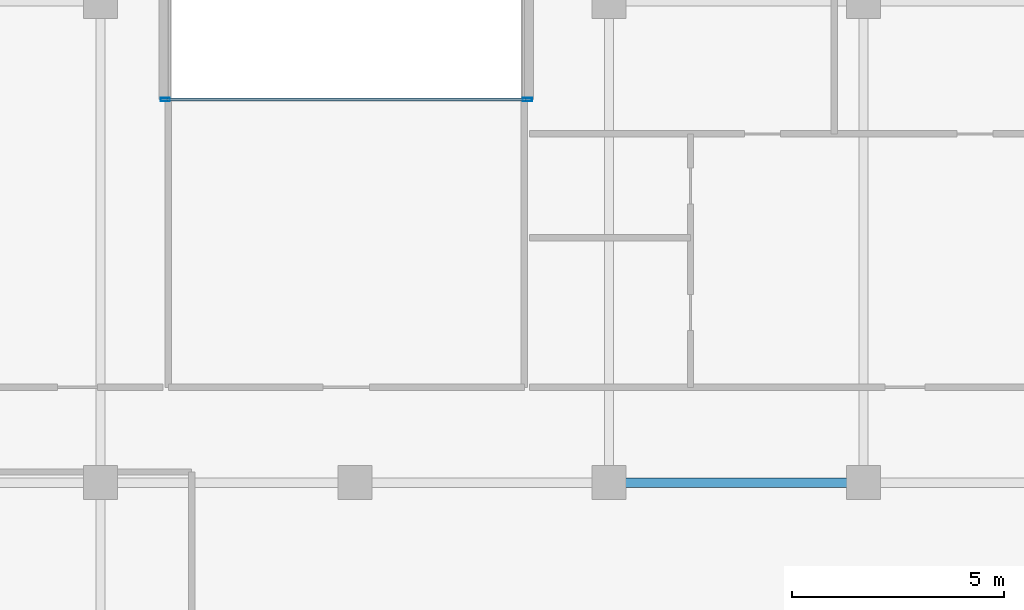
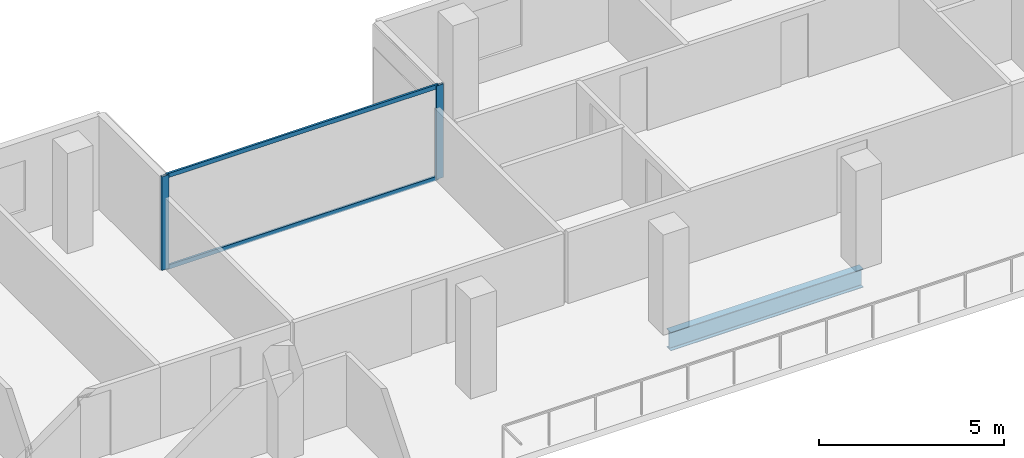
# One storey, part 4 of 16: 4 members, 1 beam, 1 element without a shape of its own.
"""IFC4 building model written with IfcOpenShell, lengths in metres."""

from ifc_helpers import new_model, si_unit, direction, frame, origin, origin_2d, place, context, subcontext, project, spatial, hollow_rectangle, i_section, extrude, material, layer, layer_set, material_profile, profile_set, type_object, element, aggregate, save


model = new_model("IFC4")

# Units and contexts
model_context = context("Model", 3, precision=1e-05, world=origin(), true_north=direction((0.0, 1.0)))
body_context = subcontext(model_context, "Body", "Model", "MODEL_VIEW")
ifc_project = project(units=[si_unit("LENGTHUNIT", "METRE"), si_unit("AREAUNIT", "SQUARE_METRE"), si_unit("VOLUMEUNIT", "CUBIC_METRE"), si_unit("PLANEANGLEUNIT", "RADIAN"), si_unit("MASSUNIT", "GRAM", prefix="KILO")], contexts=[model_context])

# Site, building, storey
site_placement = place(None, origin())
site = spatial("IfcSite", under=ifc_project, at=site_placement, CompositionType="ELEMENT")
building_placement = place(site_placement, origin())
building = spatial("IfcBuilding", under=site, at=building_placement, Name="Tanjung Sevakor Pilgrim Tower", CompositionType="ELEMENT")
storey_placement = place(building_placement, frame((0.0, 0.0, 198.330078125)))
storey = spatial("IfcBuildingStorey", under=building, at=storey_placement, Name="L55", CompositionType="ELEMENT", Elevation=198.330078125)

# Beam
ifc_material_1 = material(Name="Steel S355J2", Category="steel")
ifc_material_profile_1 = material_profile(ifc_material_1, i_section(OverallWidth=0.22900390625, OverallDepth=0.6123046875, WebThickness=0.011962890625, FlangeThickness=0.01953125, FilletRadius=0.0126953125, at=origin_2d()))
ifc_profile_set_1 = profile_set([ifc_material_profile_1], Name="Steel S355J2")
beam_type = type_object("IfcBeamType", Name="BM-B-G4-UB_610x229x125", PredefinedType="BEAM", material=ifc_profile_set_1)
beam_placement = place(storey_placement, frame((54.0, 42.60009765625, -0.526123046875), z_axis=(1.0, 0.0, 0.0), x_axis=(0.0, 1.0, 0.0)))
element("IfcBeam", 1, at=beam_placement, inside=storey, type_object=beam_type, Name="L55 Primary Floor Girder MAIN Y426-05", PredefinedType="BEAM", context=body_context, shape_type="SweptSolid", body=[
    extrude(i_section(OverallWidth=0.22900390625, OverallDepth=0.6123046875, WebThickness=0.011962890625, FlangeThickness=0.01953125, FilletRadius=0.0126953125, at=origin_2d()), origin(), (0.0, 0.0, 1.0), 6.0),
])

# Curtain wall, members
ifc_material_2 = material(Name="Aluminium 6063-T6 and Low-E Glass", Category="aluminium")
ifc_layer = layer(ifc_material_2, 0.179931640625)
ifc_layer_set = layer_set([ifc_layer], Name="CW-SYS-CLEFT")
curtain_wall_type = type_object("IfcCurtainWallType", Name="CW-SYS-CLEFT", PredefinedType="NOTDEFINED", material=ifc_layer_set)
curtain_wall_placement = place(storey_placement, origin())
curtain_wall = element("IfcCurtainWall", 2, at=curtain_wall_placement, inside=storey, type_object=curtain_wall_type, Name="L55 Curtain Wall CW-CLF-L55-10", PredefinedType="NOTDEFINED")
ifc_material_3 = material(Name="Aluminium 6063-T6", Category="aluminium")
ifc_material_profile_2 = material_profile(ifc_material_3, hollow_rectangle(XDim=0.074951171875, YDim=0.219970703125, WallThickness=0.0048828125, at=origin_2d()))
ifc_profile_set_2 = profile_set([ifc_material_profile_2], Name="Aluminium 6063-T6")
member_type_1 = type_object("IfcMemberType", Name="TYPE-CWM-2", PredefinedType="MULLION", material=ifc_profile_set_2)
member_1_placement = place(storey_placement, frame((52.072509765625, 51.639892578125, 0.0), z_axis=(0.0, 0.0, 1.0), x_axis=(0.0, -1.0, 0.0)))
member_1 = element("IfcMember", 3, at=member_1_placement, type_object=member_type_1, Name="CW-CLF mullion 1", PredefinedType="MULLION", context=body_context, shape_type="SweptSolid", body=[
    extrude(hollow_rectangle(XDim=0.074951171875, YDim=0.219970703125, WallThickness=0.0048828125, at=origin_2d()), origin(), (0.0, 0.0, 1.0), 3.079833984375),
])
member_2_placement = place(storey_placement, frame((43.527587890625, 51.639892578125, 0.0), z_axis=(0.0, 0.0, 1.0), x_axis=(0.0, -1.0, 0.0)))
member_2 = element("IfcMember", 4, at=member_2_placement, type_object=member_type_1, Name="CW-CLF mullion 2", PredefinedType="MULLION", context=body_context, shape_type="SweptSolid", body=[
    extrude(hollow_rectangle(XDim=0.074951171875, YDim=0.219970703125, WallThickness=0.0048828125, at=origin_2d()), origin(), (0.0, 0.0, 1.0), 3.079833984375),
])
ifc_material_4 = material(Name="Aluminium 6063-T6", Category="aluminium")
ifc_material_profile_3 = material_profile(ifc_material_4, hollow_rectangle(XDim=0.06494140625, YDim=0.139892578125, WallThickness=0.00390625, at=origin_2d()))
ifc_profile_set_3 = profile_set([ifc_material_profile_3], Name="Aluminium 6063-T6")
member_type_2 = type_object("IfcMemberType", Name="TYPE-CWT-1", PredefinedType="USERDEFINED", material=ifc_profile_set_3)
member_3_placement = place(storey_placement, frame((52.034912109375, 51.639892578125, 0.032470703125), z_axis=(-1.0, 0.0, 0.0), x_axis=(0.0, -1.0, 0.0)))
member_3 = element("IfcMember", 5, at=member_3_placement, type_object=member_type_2, Name="CW-CLF transom 1.1", ObjectType="TRANSOM", PredefinedType="USERDEFINED", context=body_context, shape_type="SweptSolid", body=[
    extrude(hollow_rectangle(XDim=0.06494140625, YDim=0.139892578125, WallThickness=0.00390625, at=origin_2d()), origin(), (0.0, 0.0, 1.0), 8.469970703125),
])
member_4_placement = place(storey_placement, frame((52.034912109375, 51.639892578125, 3.04736328125), z_axis=(-1.0, 0.0, 0.0), x_axis=(0.0, -1.0, 0.0)))
member_4 = element("IfcMember", 6, at=member_4_placement, type_object=member_type_2, Name="CW-CLF transom 1.2", ObjectType="TRANSOM", PredefinedType="USERDEFINED", context=body_context, shape_type="SweptSolid", body=[
    extrude(hollow_rectangle(XDim=0.06494140625, YDim=0.139892578125, WallThickness=0.00390625, at=origin_2d()), origin(), (0.0, 0.0, 1.0), 8.469970703125),
])
aggregate(curtain_wall, [member_1, member_2, member_3, member_4])

save(model, "model.ifc")
